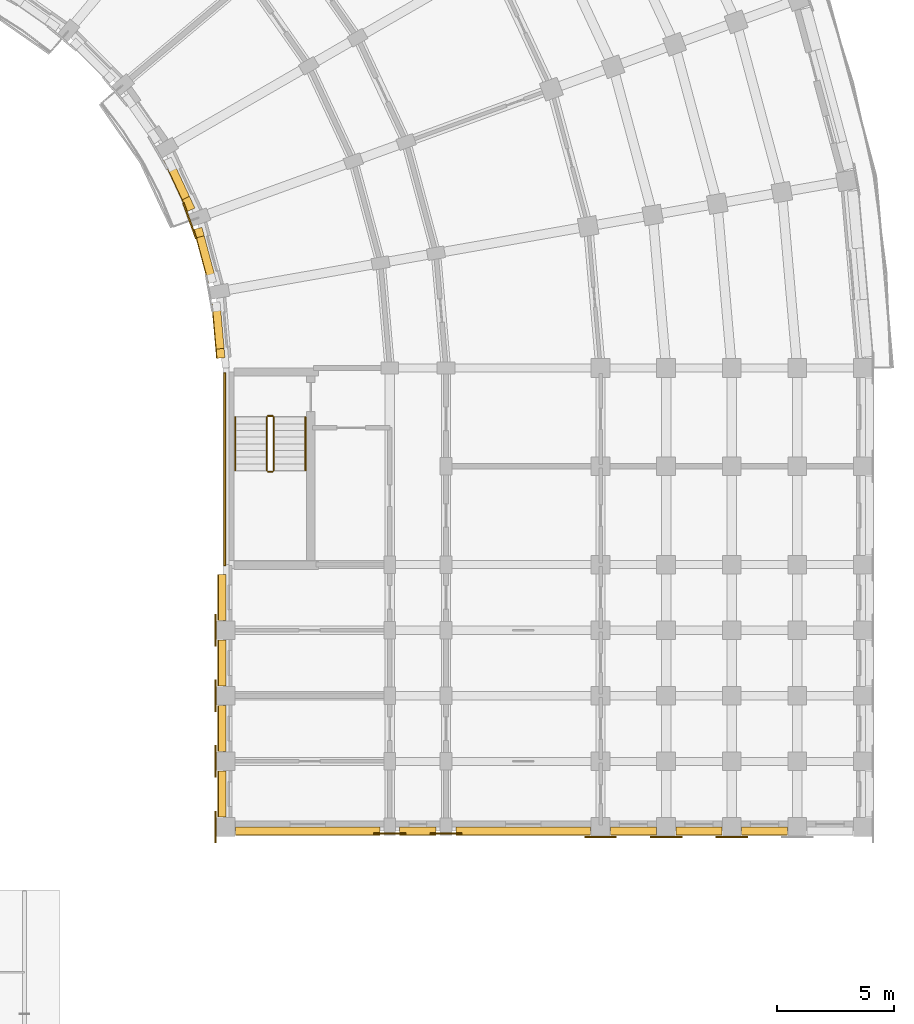
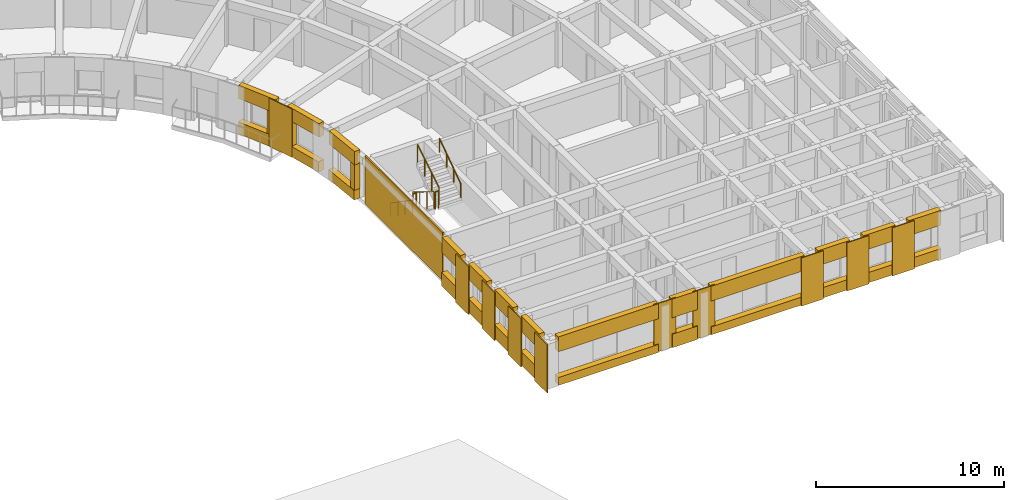
# One storey, part 71 of 76: 40 coverings, 6 railings.
"""IFC4 building model written with IfcOpenShell, lengths in metres."""

from ifc_helpers import new_model, si_unit, direction, frame, origin, origin_2d, place, context, subcontext, project, spatial, polyline, circle, outline, extrude, material, layer, layer_set, type_object, element, save


model = new_model("IFC4")

# Units and contexts
model_context = context("Model", 3, precision=1e-05, world=origin(), true_north=direction((0.0, 1.0)))
body_context = subcontext(model_context, "Body", "Model", "MODEL_VIEW")
ifc_project = project(units=[si_unit("LENGTHUNIT", "METRE"), si_unit("AREAUNIT", "SQUARE_METRE"), si_unit("VOLUMEUNIT", "CUBIC_METRE"), si_unit("PLANEANGLEUNIT", "RADIAN"), si_unit("MASSUNIT", "GRAM", prefix="KILO")], contexts=[model_context])

# Site, building, storey
site_placement = place(None, origin())
site = spatial("IfcSite", under=ifc_project, at=site_placement, CompositionType="ELEMENT")
building_placement = place(site_placement, origin())
building = spatial("IfcBuilding", under=site, at=building_placement, Name="Kiranvali Square Residences", CompositionType="ELEMENT")
storey_placement = place(building_placement, frame((0.0, 0.0, 8.699951171875)))
storey = spatial("IfcBuildingStorey", under=building, at=storey_placement, Name="L02", CompositionType="ELEMENT", Elevation=8.699951171875)

# Coverings
ifc_material_1 = material(Name="Honed Porbandar limestone ashlar facade cladding", Category="masonry")
ifc_layer_1 = layer(ifc_material_1, 0.3798828125)
ifc_layer_set_1 = layer_set([ifc_layer_1], Name="Honed Porbandar limestone ashlar facade cladding")
covering_type_1 = type_object("IfcCoveringType", Name="COV-CLAD-JAMB", PredefinedType="CLADDING", material=ifc_layer_set_1)
covering_1_placement = place(storey_placement, frame((0.0, 0.0, 0.77197265625)))
element("IfcCovering", 1, at=covering_1_placement, inside=storey, type_object=covering_type_1, Name="L02 deep limestone window jamb reveal B-L02-GDN-06.R", PredefinedType="CLADDING", context=body_context, shape_type="SweptSolid", body=[
    extrude(outline(polyline([(136.740234375, 94.982177734375), (136.97216796875, 94.485107421875), (137.27978515625, 94.62841796875), (137.048095703125, 95.125732421875), (136.740234375, 94.982177734375)])), origin(), (0.0, 0.0, 1.0), 1.5),
])
covering_2_placement = place(storey_placement, frame((0.0, 0.0, 0.672119140625)))
element("IfcCovering", 2, at=covering_2_placement, inside=storey, type_object=covering_type_1, Name="L02 deep limestone window jamb reveal B-L02-GDN-07.L", PredefinedType="CLADDING", context=body_context, shape_type="SweptSolid", body=[
    extrude(outline(polyline([(137.251708984375, 93.717041015625), (137.348388671875, 93.356201171875), (137.67626953125, 93.444091796875), (137.57958984375, 93.804931640625), (137.251708984375, 93.717041015625)])), origin(), (0.0, 0.0, 1.0), 1.599853515625),
])
covering_3_placement = place(storey_placement, frame((0.0, 0.0, 0.6220703125)))
element("IfcCovering", 3, at=covering_3_placement, inside=storey, type_object=covering_type_1, Name="L02 deep limestone window jamb reveal B-L02-GDN-08.R", PredefinedType="CLADDING", context=body_context, shape_type="SweptSolid", body=[
    extrude(outline(polyline([(138.188232421875, 88.605712890625), (138.222900390625, 88.208740234375), (138.56103515625, 88.23828125), (138.5263671875, 88.63525390625), (138.188232421875, 88.605712890625)])), origin(), (0.0, 0.0, 1.0), 1.64990234375),
])
ifc_layer_2 = layer(ifc_material_1, 0.06494140625)
ifc_layer_set_2 = layer_set([ifc_layer_2], Name="Honed Porbandar limestone ashlar facade cladding")
covering_type_2 = type_object("IfcCoveringType", Name="COV-CLAD-PIER", PredefinedType="CLADDING", material=ifc_layer_set_2)
covering_4_placement = place(storey_placement, frame((0.0, 0.0, 0.005126953125)))
element("IfcCovering", 4, at=covering_4_placement, inside=storey, type_object=covering_type_2, Name="Block B L02 Arm 2 stair limestone ashlar cladding", PredefinedType="CLADDING", context=body_context, shape_type="SweptSolid", body=[
    extrude(outline(polyline([(138.52001953125, 87.60009765625), (138.52001953125, 79.35009765625), (138.597900390625, 79.35009765625), (138.597900390625, 87.60009765625), (138.52001953125, 87.60009765625)])), origin(), (0.0, 0.0, 1.0), 3.139892578125),
])
ifc_layer_3 = layer(ifc_material_1, 0.050048828125)
ifc_layer_set_3 = layer_set([ifc_layer_3], Name="Honed Porbandar limestone ashlar facade cladding")
covering_type_3 = type_object("IfcCoveringType", Name="COV-CLAD-PIER-IN", PredefinedType="CLADDING", material=ifc_layer_set_3)
covering_5_placement = place(storey_placement, frame((0.0, 0.0, 0.005126953125)))
element("IfcCovering", 5, at=covering_5_placement, inside=storey, type_object=covering_type_3, Name="L02 Classical garden courtyard pilaster CLAD-PRIN-B-L02-A07", PredefinedType="CLADDING", context=body_context, shape_type="SweptSolid", body=[
    extrude(outline(polyline([(136.7529296875, 94.82177734375), (137.300048828125, 93.318115234375), (137.363525390625, 93.34130859375), (136.816162109375, 94.8447265625), (136.7529296875, 94.82177734375)])), origin(), (0.0, 0.0, 1.0), 3.139892578125),
])
covering_6_placement = place(storey_placement, frame((0.0, 0.0, 0.005126953125)))
element("IfcCovering", 6, at=covering_6_placement, inside=storey, type_object=covering_type_3, Name="L02 Classical limestone pilaster casing CLAD-PRA2I-B-L02-V112", PredefinedType="CLADDING", context=body_context, shape_type="SweptSolid", body=[
    extrude(outline(polyline([(138.132080078125, 77.280029296875), (138.132080078125, 75.919921875), (138.199462890625, 75.919921875), (138.199462890625, 77.280029296875), (138.132080078125, 77.280029296875)])), origin(), (0.0, 0.0, 1.0), 3.139892578125),
])
covering_7_placement = place(storey_placement, frame((0.0, 0.0, 0.005126953125)))
element("IfcCovering", 7, at=covering_7_placement, inside=storey, type_object=covering_type_3, Name="L02 Classical limestone pilaster casing CLAD-PRA2I-B-L02-V140", PredefinedType="CLADDING", context=body_context, shape_type="SweptSolid", body=[
    extrude(outline(polyline([(138.132080078125, 74.47998046875), (138.132080078125, 73.1201171875), (138.199462890625, 73.1201171875), (138.199462890625, 74.47998046875), (138.132080078125, 74.47998046875)])), origin(), (0.0, 0.0, 1.0), 3.139892578125),
])
covering_8_placement = place(storey_placement, frame((0.0, 0.0, 0.005126953125)))
element("IfcCovering", 8, at=covering_8_placement, inside=storey, type_object=covering_type_3, Name="L02 Classical limestone pilaster casing CLAD-PRA2I-B-L02-V167", PredefinedType="CLADDING", context=body_context, shape_type="SweptSolid", body=[
    extrude(outline(polyline([(138.132080078125, 71.679931640625), (138.132080078125, 70.320068359375), (138.199462890625, 70.320068359375), (138.199462890625, 71.679931640625), (138.132080078125, 71.679931640625)])), origin(), (0.0, 0.0, 1.0), 3.139892578125),
])
covering_9_placement = place(storey_placement, frame((0.0, 0.0, 0.005126953125)))
element("IfcCovering", 9, at=covering_9_placement, inside=storey, type_object=covering_type_3, Name="L02 Classical limestone pilaster casing CLAD-PRA2I-B-L02-V196", PredefinedType="CLADDING", context=body_context, shape_type="SweptSolid", body=[
    extrude(outline(polyline([(138.132080078125, 68.8798828125), (138.132080078125, 67.52001953125), (138.199462890625, 67.52001953125), (138.199462890625, 68.8798828125), (138.132080078125, 68.8798828125)])), origin(), (0.0, 0.0, 1.0), 3.139892578125),
])
ifc_layer_4 = layer(ifc_material_1, 0.054931640625)
ifc_layer_set_4 = layer_set([ifc_layer_4], Name="Honed Porbandar limestone ashlar facade cladding")
covering_type_4 = type_object("IfcCoveringType", Name="COV-CLAD-PIER-UP", PredefinedType="CLADDING", material=ifc_layer_set_4)
covering_10_placement = place(storey_placement, frame((0.0, 0.0, 0.005126953125)))
element("IfcCovering", 10, at=covering_10_placement, inside=storey, type_object=covering_type_4, Name="L02 Classical limestone pilaster casing CLAD-PRA2E-B-L02-R258", PredefinedType="CLADDING", context=body_context, shape_type="SweptSolid", body=[
    extrude(outline(polyline([(144.919921875, 67.882080078125), (146.280029296875, 67.882080078125), (146.280029296875, 67.949462890625), (144.919921875, 67.949462890625), (144.919921875, 67.882080078125)])), origin(), (0.0, 0.0, 1.0), 3.139892578125),
])
covering_11_placement = place(storey_placement, frame((0.0, 0.0, 0.005126953125)))
element("IfcCovering", 11, at=covering_11_placement, inside=storey, type_object=covering_type_4, Name="L02 Classical limestone pilaster casing CLAD-PRA2E-B-L02-R282", PredefinedType="CLADDING", context=body_context, shape_type="SweptSolid", body=[
    extrude(outline(polyline([(147.320068359375, 67.882080078125), (148.679931640625, 67.882080078125), (148.679931640625, 67.949462890625), (147.320068359375, 67.949462890625), (147.320068359375, 67.882080078125)])), origin(), (0.0, 0.0, 1.0), 3.139892578125),
])
covering_12_placement = place(storey_placement, frame((0.0, 0.0, 0.005126953125)))
element("IfcCovering", 12, at=covering_12_placement, inside=storey, type_object=covering_type_4, Name="L02 Classical limestone pilaster casing CLAD-PRA2E-B-L02-R348", PredefinedType="CLADDING", context=body_context, shape_type="SweptSolid", body=[
    extrude(outline(polyline([(153.919921875, 67.73193359375), (155.280029296875, 67.73193359375), (155.280029296875, 67.799560546875), (153.919921875, 67.799560546875), (153.919921875, 67.73193359375)])), origin(), (0.0, 0.0, 1.0), 3.139892578125),
])
covering_13_placement = place(storey_placement, frame((0.0, 0.0, 0.005126953125)))
element("IfcCovering", 13, at=covering_13_placement, inside=storey, type_object=covering_type_4, Name="L02 Classical limestone pilaster casing CLAD-PRA2E-B-L02-R376", PredefinedType="CLADDING", context=body_context, shape_type="SweptSolid", body=[
    extrude(outline(polyline([(156.719970703125, 67.73193359375), (158.080078125, 67.73193359375), (158.080078125, 67.799560546875), (156.719970703125, 67.799560546875), (156.719970703125, 67.73193359375)])), origin(), (0.0, 0.0, 1.0), 3.139892578125),
])
covering_14_placement = place(storey_placement, frame((0.0, 0.0, 0.005126953125)))
element("IfcCovering", 14, at=covering_14_placement, inside=storey, type_object=covering_type_4, Name="L02 Classical limestone pilaster casing CLAD-PRA2E-B-L02-R404", PredefinedType="CLADDING", context=body_context, shape_type="SweptSolid", body=[
    extrude(outline(polyline([(159.52001953125, 67.73193359375), (160.8798828125, 67.73193359375), (160.8798828125, 67.799560546875), (159.52001953125, 67.799560546875), (159.52001953125, 67.73193359375)])), origin(), (0.0, 0.0, 1.0), 3.139892578125),
])
ifc_layer_5 = layer(ifc_material_1, 0.360107421875)
ifc_layer_set_5 = layer_set([ifc_layer_5], Name="Honed Porbandar limestone ashlar facade cladding")
covering_type_5 = type_object("IfcCoveringType", Name="COV-CLAD-WALL", PredefinedType="CLADDING", material=ifc_layer_set_5)
covering_15_placement = place(storey_placement, frame((0.0, 0.0, 2.27197265625)))
element("IfcCovering", 15, at=covering_15_placement, inside=storey, type_object=covering_type_5, Name="L02 light limestone spandrel lintel B-L02-GDN-06", PredefinedType="CLADDING", context=body_context, shape_type="SweptSolid", body=[
    extrude(outline(polyline([(135.958984375, 96.657470703125), (136.97216796875, 94.485107421875), (137.27978515625, 94.62841796875), (136.266845703125, 96.801025390625), (135.958984375, 96.657470703125)])), origin(), (0.0, 0.0, 1.0), 0.873046875),
])
covering_16_placement = place(storey_placement, frame((0.0, 0.0, 2.27197265625)))
element("IfcCovering", 16, at=covering_16_placement, inside=storey, type_object=covering_type_5, Name="L02 light limestone spandrel lintel B-L02-GDN-07", PredefinedType="CLADDING", context=body_context, shape_type="SweptSolid", body=[
    extrude(outline(polyline([(137.251708984375, 93.717041015625), (137.8720703125, 91.401611328125), (138.199951171875, 91.489501953125), (137.57958984375, 93.804931640625), (137.251708984375, 93.717041015625)])), origin(), (0.0, 0.0, 1.0), 0.873046875),
])
covering_17_placement = place(storey_placement, frame((0.0, 0.0, 2.27197265625)))
element("IfcCovering", 17, at=covering_17_placement, inside=storey, type_object=covering_type_5, Name="L02 light limestone spandrel lintel B-L02-GDN-08", PredefinedType="CLADDING", context=body_context, shape_type="SweptSolid", body=[
    extrude(outline(polyline([(138.013916015625, 90.5966796875), (138.222900390625, 88.208740234375), (138.56103515625, 88.23828125), (138.352294921875, 90.626220703125), (138.013916015625, 90.5966796875)])), origin(), (0.0, 0.0, 1.0), 0.873046875),
])
covering_18_placement = place(storey_placement, frame((0.0, 0.0, 2.130126953125)))
element("IfcCovering", 18, at=covering_18_placement, inside=storey, type_object=covering_type_5, Name="L02 light limestone spandrel lintel B-L02-A2I-0", PredefinedType="CLADDING", context=body_context, shape_type="SweptSolid", body=[
    extrude(outline(polyline([(138.280029296875, 78.97998046875), (138.280029296875, 77.02001953125), (138.599609375, 77.02001953125), (138.599609375, 78.97998046875), (138.280029296875, 78.97998046875)])), origin(), (0.0, 0.0, 1.0), 1.014892578125),
])
covering_19_placement = place(storey_placement, frame((0.0, 0.0, 0.005126953125)))
element("IfcCovering", 19, at=covering_19_placement, inside=storey, type_object=covering_type_5, Name="L02 limestone window sill apron B-L02-A2I-0", PredefinedType="CLADDING", context=body_context, shape_type="SweptSolid", body=[
    extrude(outline(polyline([(138.25, 78.97998046875), (138.25, 77.02001953125), (138.599609375, 77.02001953125), (138.599609375, 78.97998046875), (138.25, 78.97998046875)])), origin(), (0.0, 0.0, 1.0), 0.875),
])
covering_20_placement = place(storey_placement, frame((0.0, 0.0, 2.130126953125)))
element("IfcCovering", 20, at=covering_20_placement, inside=storey, type_object=covering_type_5, Name="L02 light limestone spandrel lintel B-L02-A2I-1", PredefinedType="CLADDING", context=body_context, shape_type="SweptSolid", body=[
    extrude(outline(polyline([(138.280029296875, 76.179931640625), (138.280029296875, 74.219970703125), (138.599609375, 74.219970703125), (138.599609375, 76.179931640625), (138.280029296875, 76.179931640625)])), origin(), (0.0, 0.0, 1.0), 1.014892578125),
])
covering_21_placement = place(storey_placement, frame((0.0, 0.0, 0.005126953125)))
element("IfcCovering", 21, at=covering_21_placement, inside=storey, type_object=covering_type_5, Name="L02 limestone window sill apron B-L02-A2I-1", PredefinedType="CLADDING", context=body_context, shape_type="SweptSolid", body=[
    extrude(outline(polyline([(138.25, 76.179931640625), (138.25, 74.219970703125), (138.599609375, 74.219970703125), (138.599609375, 76.179931640625), (138.25, 76.179931640625)])), origin(), (0.0, 0.0, 1.0), 0.875),
])
covering_22_placement = place(storey_placement, frame((0.0, 0.0, 2.130126953125)))
element("IfcCovering", 22, at=covering_22_placement, inside=storey, type_object=covering_type_5, Name="L02 light limestone spandrel lintel B-L02-A2I-2", PredefinedType="CLADDING", context=body_context, shape_type="SweptSolid", body=[
    extrude(outline(polyline([(138.280029296875, 73.3798828125), (138.280029296875, 71.419921875), (138.599609375, 71.419921875), (138.599609375, 73.3798828125), (138.280029296875, 73.3798828125)])), origin(), (0.0, 0.0, 1.0), 1.014892578125),
])
covering_23_placement = place(storey_placement, frame((0.0, 0.0, 0.005126953125)))
element("IfcCovering", 23, at=covering_23_placement, inside=storey, type_object=covering_type_5, Name="L02 limestone window sill apron B-L02-A2I-2", PredefinedType="CLADDING", context=body_context, shape_type="SweptSolid", body=[
    extrude(outline(polyline([(138.25, 73.3798828125), (138.25, 71.419921875), (138.599609375, 71.419921875), (138.599609375, 73.3798828125), (138.25, 73.3798828125)])), origin(), (0.0, 0.0, 1.0), 0.875),
])
covering_24_placement = place(storey_placement, frame((0.0, 0.0, 2.130126953125)))
element("IfcCovering", 24, at=covering_24_placement, inside=storey, type_object=covering_type_5, Name="L02 light limestone spandrel lintel B-L02-A2I-3", PredefinedType="CLADDING", context=body_context, shape_type="SweptSolid", body=[
    extrude(outline(polyline([(138.280029296875, 70.580078125), (138.280029296875, 68.6201171875), (138.599609375, 68.6201171875), (138.599609375, 70.580078125), (138.280029296875, 70.580078125)])), origin(), (0.0, 0.0, 1.0), 1.014892578125),
])
covering_25_placement = place(storey_placement, frame((0.0, 0.0, 0.005126953125)))
element("IfcCovering", 25, at=covering_25_placement, inside=storey, type_object=covering_type_5, Name="L02 limestone window sill apron B-L02-A2I-3", PredefinedType="CLADDING", context=body_context, shape_type="SweptSolid", body=[
    extrude(outline(polyline([(138.25, 70.580078125), (138.25, 68.6201171875), (138.599609375, 68.6201171875), (138.599609375, 70.580078125), (138.25, 70.580078125)])), origin(), (0.0, 0.0, 1.0), 0.875),
])
covering_26_placement = place(storey_placement, frame((0.0, 0.0, 2.172119140625)))
element("IfcCovering", 26, at=covering_26_placement, inside=storey, type_object=covering_type_5, Name="L02 light limestone spandrel lintel B-L02-A2END-0", PredefinedType="CLADDING", context=body_context, shape_type="SweptSolid", body=[
    extrude(outline(polyline([(139.02001953125, 67.860107421875), (145.179931640625, 67.860107421875), (145.179931640625, 68.199462890625), (139.02001953125, 68.199462890625), (139.02001953125, 67.860107421875)])), origin(), (0.0, 0.0, 1.0), 0.972900390625),
])
covering_27_placement = place(storey_placement, frame((0.0, 0.0, 0.005126953125)))
element("IfcCovering", 27, at=covering_27_placement, inside=storey, type_object=covering_type_5, Name="L02 limestone window sill apron B-L02-A2END-0", PredefinedType="CLADDING", context=body_context, shape_type="SweptSolid", body=[
    extrude(outline(polyline([(139.02001953125, 67.830078125), (145.179931640625, 67.830078125), (145.179931640625, 68.199462890625), (139.02001953125, 68.199462890625), (139.02001953125, 67.830078125)])), origin(), (0.0, 0.0, 1.0), 0.516845703125),
])
covering_28_placement = place(storey_placement, frame((0.0, 0.0, 1.929931640625)))
element("IfcCovering", 28, at=covering_28_placement, inside=storey, type_object=covering_type_5, Name="L02 light limestone spandrel lintel B-L02-A2END-1", PredefinedType="CLADDING", context=body_context, shape_type="SweptSolid", body=[
    extrude(outline(polyline([(146.02001953125, 67.860107421875), (147.580078125, 67.860107421875), (147.580078125, 68.199462890625), (146.02001953125, 68.199462890625), (146.02001953125, 67.860107421875)])), origin(), (0.0, 0.0, 1.0), 1.215087890625),
])
covering_29_placement = place(storey_placement, frame((0.0, 0.0, 0.005126953125)))
element("IfcCovering", 29, at=covering_29_placement, inside=storey, type_object=covering_type_5, Name="L02 limestone window sill apron B-L02-A2END-1", PredefinedType="CLADDING", context=body_context, shape_type="SweptSolid", body=[
    extrude(outline(polyline([(146.02001953125, 67.830078125), (147.580078125, 67.830078125), (147.580078125, 68.199462890625), (146.02001953125, 68.199462890625), (146.02001953125, 67.830078125)])), origin(), (0.0, 0.0, 1.0), 0.875),
])
covering_30_placement = place(storey_placement, frame((0.0, 0.0, 2.172119140625)))
element("IfcCovering", 30, at=covering_30_placement, inside=storey, type_object=covering_type_5, Name="L02 light limestone spandrel lintel B-L02-A2END-2", PredefinedType="CLADDING", context=body_context, shape_type="SweptSolid", body=[
    extrude(outline(polyline([(148.419921875, 67.860107421875), (154.179931640625, 67.860107421875), (154.179931640625, 68.199462890625), (148.419921875, 68.199462890625), (148.419921875, 67.860107421875)])), origin(), (0.0, 0.0, 1.0), 0.972900390625),
])
covering_31_placement = place(storey_placement, frame((0.0, 0.0, 0.005126953125)))
element("IfcCovering", 31, at=covering_31_placement, inside=storey, type_object=covering_type_5, Name="L02 limestone window sill apron B-L02-A2END-2", PredefinedType="CLADDING", context=body_context, shape_type="SweptSolid", body=[
    extrude(outline(polyline([(148.419921875, 67.830078125), (154.179931640625, 67.830078125), (154.179931640625, 68.199462890625), (148.419921875, 68.199462890625), (148.419921875, 67.830078125)])), origin(), (0.0, 0.0, 1.0), 0.516845703125),
])
covering_32_placement = place(storey_placement, frame((0.0, 0.0, 2.172119140625)))
element("IfcCovering", 32, at=covering_32_placement, inside=storey, type_object=covering_type_5, Name="L02 light limestone spandrel lintel B-L02-A2END-3", PredefinedType="CLADDING", context=body_context, shape_type="SweptSolid", body=[
    extrude(outline(polyline([(155.02001953125, 67.860107421875), (156.97998046875, 67.860107421875), (156.97998046875, 68.199462890625), (155.02001953125, 68.199462890625), (155.02001953125, 67.860107421875)])), origin(), (0.0, 0.0, 1.0), 0.972900390625),
])
covering_33_placement = place(storey_placement, frame((0.0, 0.0, 0.005126953125)))
element("IfcCovering", 33, at=covering_33_placement, inside=storey, type_object=covering_type_5, Name="L02 limestone window sill apron B-L02-A2END-3", PredefinedType="CLADDING", context=body_context, shape_type="SweptSolid", body=[
    extrude(outline(polyline([(155.02001953125, 67.830078125), (156.97998046875, 67.830078125), (156.97998046875, 68.199462890625), (155.02001953125, 68.199462890625), (155.02001953125, 67.830078125)])), origin(), (0.0, 0.0, 1.0), 0.6669921875),
])
covering_34_placement = place(storey_placement, frame((0.0, 0.0, 2.172119140625)))
element("IfcCovering", 34, at=covering_34_placement, inside=storey, type_object=covering_type_5, Name="L02 light limestone spandrel lintel B-L02-A2END-4", PredefinedType="CLADDING", context=body_context, shape_type="SweptSolid", body=[
    extrude(outline(polyline([(157.820068359375, 67.860107421875), (159.780029296875, 67.860107421875), (159.780029296875, 68.199462890625), (157.820068359375, 68.199462890625), (157.820068359375, 67.860107421875)])), origin(), (0.0, 0.0, 1.0), 0.972900390625),
])
covering_35_placement = place(storey_placement, frame((0.0, 0.0, 0.005126953125)))
element("IfcCovering", 35, at=covering_35_placement, inside=storey, type_object=covering_type_5, Name="L02 limestone window sill apron B-L02-A2END-4", PredefinedType="CLADDING", context=body_context, shape_type="SweptSolid", body=[
    extrude(outline(polyline([(157.820068359375, 67.830078125), (159.780029296875, 67.830078125), (159.780029296875, 68.199462890625), (157.820068359375, 68.199462890625), (157.820068359375, 67.830078125)])), origin(), (0.0, 0.0, 1.0), 0.6669921875),
])
covering_36_placement = place(storey_placement, frame((0.0, 0.0, 2.172119140625)))
element("IfcCovering", 36, at=covering_36_placement, inside=storey, type_object=covering_type_5, Name="L02 light limestone spandrel lintel B-L02-A2END-5", PredefinedType="CLADDING", context=body_context, shape_type="SweptSolid", body=[
    extrude(outline(polyline([(160.6201171875, 67.860107421875), (162.580078125, 67.860107421875), (162.580078125, 68.199462890625), (160.6201171875, 68.199462890625), (160.6201171875, 67.860107421875)])), origin(), (0.0, 0.0, 1.0), 0.972900390625),
])
covering_37_placement = place(storey_placement, frame((0.0, 0.0, 0.005126953125)))
element("IfcCovering", 37, at=covering_37_placement, inside=storey, type_object=covering_type_5, Name="L02 limestone window sill apron B-L02-A2END-5", PredefinedType="CLADDING", context=body_context, shape_type="SweptSolid", body=[
    extrude(outline(polyline([(160.6201171875, 67.830078125), (162.580078125, 67.830078125), (162.580078125, 68.199462890625), (160.6201171875, 68.199462890625), (160.6201171875, 67.830078125)])), origin(), (0.0, 0.0, 1.0), 0.6669921875),
])
ifc_layer_6 = layer(ifc_material_1, 0.2900390625)
ifc_layer_set_6 = layer_set([ifc_layer_6], Name="Honed Porbandar limestone ashlar facade cladding")
covering_type_6 = type_object("IfcCoveringType", Name="COV-CLAD-WALL-IN", PredefinedType="CLADDING", material=ifc_layer_set_6)
covering_38_placement = place(storey_placement, frame((0.0, 0.0, 0.005126953125)))
element("IfcCovering", 38, at=covering_38_placement, inside=storey, type_object=covering_type_6, Name="L02 limestone window sill apron B-L02-GDN-06", PredefinedType="CLADDING", context=body_context, shape_type="SweptSolid", body=[
    extrude(outline(polyline([(135.931884765625, 96.644775390625), (136.94482421875, 94.472412109375), (137.27978515625, 94.62841796875), (136.266845703125, 96.801025390625), (135.931884765625, 96.644775390625)])), origin(), (0.0, 0.0, 1.0), 0.766845703125),
])
covering_39_placement = place(storey_placement, frame((0.0, 0.0, 0.005126953125)))
element("IfcCovering", 39, at=covering_39_placement, inside=storey, type_object=covering_type_6, Name="L02 limestone window sill apron B-L02-GDN-07", PredefinedType="CLADDING", context=body_context, shape_type="SweptSolid", body=[
    extrude(outline(polyline([(137.22265625, 93.709228515625), (137.843017578125, 91.393798828125), (138.199951171875, 91.489501953125), (137.57958984375, 93.804931640625), (137.22265625, 93.709228515625)])), origin(), (0.0, 0.0, 1.0), 0.6669921875),
])
covering_40_placement = place(storey_placement, frame((0.0, 0.0, 0.005126953125)))
element("IfcCovering", 40, at=covering_40_placement, inside=storey, type_object=covering_type_6, Name="L02 limestone window sill apron B-L02-GDN-08", PredefinedType="CLADDING", context=body_context, shape_type="SweptSolid", body=[
    extrude(outline(polyline([(137.984130859375, 90.593994140625), (138.193115234375, 88.2060546875), (138.56103515625, 88.23828125), (138.352294921875, 90.626220703125), (137.984130859375, 90.593994140625)])), origin(), (0.0, 0.0, 1.0), 0.616943359375),
])

# Railings
ifc_material_2 = material(Name="Brushed stainless steel tubular handrail", Category="steel")
railing_type_1 = type_object("IfcRailingType", Name="RL-HANDRAIL-900", PredefinedType="HANDRAIL", material=ifc_material_2)
railing_1_placement = place(storey_placement, frame((139.0, 85.699951171875, 0.175048828125)))
element("IfcRailing", 41, at=railing_1_placement, inside=storey, type_object=railing_type_1, Name="L02 ST-B3 stair handrail 1", PredefinedType="HANDRAIL", context=body_context, shape_type="SweptSolid", body=[
    extrude(circle(Radius=0.02392578125, at=origin_2d()), frame((0.0, 0.0, 0.8759765625), z_axis=(0.0, -0.82278801735, 0.568348377763), x_axis=(1.0, 0.0, 0.0)), (0.0, 0.0, 1.0), 2.77099609375),
    extrude(circle(Radius=0.02099609375, at=origin_2d()), origin(), (0.0, 0.0, 1.0), 0.851806640625),
    extrude(circle(Radius=0.02099609375, at=origin_2d()), frame((0.0, -0.760009765625, 0.52490234375)), (0.0, 0.0, 1.0), 0.851806640625),
    extrude(circle(Radius=0.02099609375, at=origin_2d()), frame((0.0, -1.52001953125, 1.050048828125)), (0.0, 0.0, 1.0), 0.851806640625),
    extrude(circle(Radius=0.02099609375, at=origin_2d()), frame((0.0, -2.280029296875, 1.574951171875)), (0.0, 0.0, 1.0), 0.851806640625),
])
railing_2_placement = place(storey_placement, frame((142.0, 83.419921875, 1.75)))
element("IfcRailing", 42, at=railing_2_placement, inside=storey, type_object=railing_type_1, Name="L02 ST-B3 stair handrail 2", PredefinedType="HANDRAIL", context=body_context, shape_type="SweptSolid", body=[
    extrude(circle(Radius=0.02392578125, at=origin_2d()), frame((0.0, 0.0, 0.8759765625), z_axis=(0.0, 0.82278801735, 0.568348377763), x_axis=(-1.0, 0.0, 0.0)), (0.0, 0.0, 1.0), 2.77099609375),
    extrude(circle(Radius=0.02099609375, at=origin_2d()), origin(), (0.0, 0.0, 1.0), 0.851806640625),
    extrude(circle(Radius=0.02099609375, at=origin_2d()), frame((0.0, 0.760009765625, 0.52490234375)), (0.0, 0.0, 1.0), 0.851806640625),
    extrude(circle(Radius=0.02099609375, at=origin_2d()), frame((0.0, 1.52001953125, 1.050048828125)), (0.0, 0.0, 1.0), 0.851806640625),
    extrude(circle(Radius=0.02099609375, at=origin_2d()), frame((0.0, 2.280029296875, 1.574951171875)), (0.0, 0.0, 1.0), 0.851806640625),
])
ifc_material_3 = material(Name="Powder-coated architectural bronze balustrade", Category="steel")
railing_type_2 = type_object("IfcRailingType", Name="RL-ST-GUARD-1200", PredefinedType="GUARDRAIL", material=ifc_material_3)
railing_3_placement = place(storey_placement, frame((140.35009765625, 85.699951171875, 0.175048828125)))
element("IfcRailing", 43, at=railing_3_placement, inside=storey, type_object=railing_type_2, Name="L02 ST-B3 stair guard 1", PredefinedType="GUARDRAIL", context=body_context, shape_type="SweptSolid", body=[
    extrude(circle(Radius=0.02392578125, at=origin_2d()), frame((0.0, 0.0, 1.1259765625), z_axis=(0.0, -0.852190499154, 0.523231643875), x_axis=(1.0, 0.0, 0.0)), (0.0, 0.0, 1.0), 2.675537109375),
    extrude(circle(Radius=0.02099609375, at=origin_2d()), origin(), (0.0, 0.0, 1.0), 1.101806640625),
    extrude(circle(Radius=0.02099609375, at=origin_2d()), frame((0.0, -0.760009765625, 0.466552734375)), (0.0, 0.0, 1.0), 1.101806640625),
    extrude(circle(Radius=0.02099609375, at=origin_2d()), frame((0.0, -1.52001953125, 0.933349609375)), (0.0, 0.0, 1.0), 1.101806640625),
    extrude(circle(Radius=0.02099609375, at=origin_2d()), frame((0.0, -2.280029296875, 1.39990234375)), (0.0, 0.0, 1.0), 1.101806640625),
])
railing_4_placement = place(storey_placement, frame((140.39990234375, 83.3701171875, 1.574951171875)))
element("IfcRailing", 44, at=railing_4_placement, inside=storey, type_object=railing_type_2, Name="L02 ST-B3 stair guard 2", PredefinedType="GUARDRAIL", context=body_context, shape_type="SweptSolid", body=[
    extrude(circle(Radius=0.02392578125, at=origin_2d()), frame((0.0, 0.0, 1.1259765625), z_axis=(1.0, 0.0, 0.0), x_axis=(0.0, 1.0, 0.0)), (0.0, 0.0, 1.0), 0.2001953125),
    extrude(circle(Radius=0.02099609375, at=origin_2d()), origin(), (0.0, 0.0, 1.0), 1.101806640625),
    extrude(circle(Radius=0.02099609375, at=origin_2d()), frame((0.2001953125, 0.0, 0.0)), (0.0, 0.0, 1.0), 1.101806640625),
])
railing_5_placement = place(storey_placement, frame((140.64990234375, 83.419921875, 1.75)))
element("IfcRailing", 45, at=railing_5_placement, inside=storey, type_object=railing_type_2, Name="L02 ST-B3 stair guard 3", PredefinedType="GUARDRAIL", context=body_context, shape_type="SweptSolid", body=[
    extrude(circle(Radius=0.02392578125, at=origin_2d()), frame((0.0, 0.0, 1.1259765625), z_axis=(0.0, 0.852149810458, 0.523297908018), x_axis=(-1.0, 0.0, 0.0)), (0.0, 0.0, 1.0), 2.675537109375),
    extrude(circle(Radius=0.02099609375, at=origin_2d()), origin(), (0.0, 0.0, 1.0), 1.101806640625),
    extrude(circle(Radius=0.02099609375, at=origin_2d()), frame((0.0, 0.760009765625, 0.466796875)), (0.0, 0.0, 1.0), 1.101806640625),
    extrude(circle(Radius=0.02099609375, at=origin_2d()), frame((0.0, 1.52001953125, 0.933349609375)), (0.0, 0.0, 1.0), 1.101806640625),
    extrude(circle(Radius=0.02099609375, at=origin_2d()), frame((0.0, 2.280029296875, 1.400146484375)), (0.0, 0.0, 1.0), 1.101806640625),
])
railing_6_placement = place(storey_placement, frame((140.39990234375, 85.75, 0.0)))
element("IfcRailing", 46, at=railing_6_placement, inside=storey, type_object=railing_type_2, Name="L02 ST-B3 stair guard 4", PredefinedType="GUARDRAIL", context=body_context, shape_type="SweptSolid", body=[
    extrude(circle(Radius=0.02392578125, at=origin_2d()), frame((0.0, 0.0, 1.1259765625), z_axis=(1.0, 0.0, 0.0), x_axis=(0.0, 1.0, 0.0)), (0.0, 0.0, 1.0), 0.2001953125),
    extrude(circle(Radius=0.02099609375, at=origin_2d()), origin(), (0.0, 0.0, 1.0), 1.101806640625),
    extrude(circle(Radius=0.02099609375, at=origin_2d()), frame((0.2001953125, 0.0, 0.0)), (0.0, 0.0, 1.0), 1.101806640625),
])

save(model, "model.ifc")
